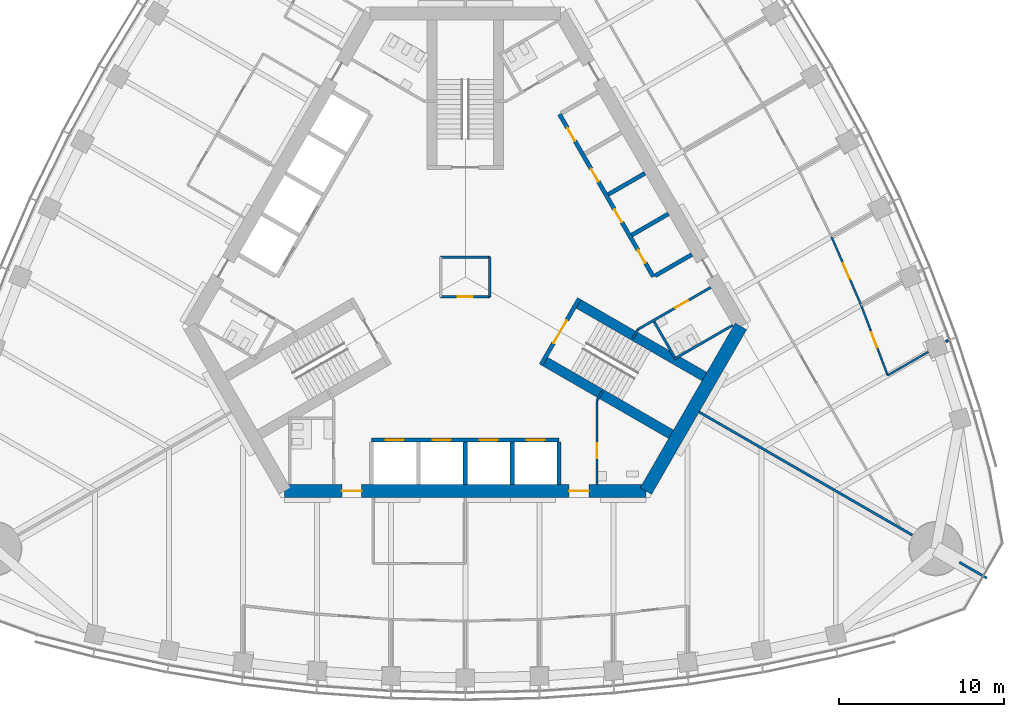
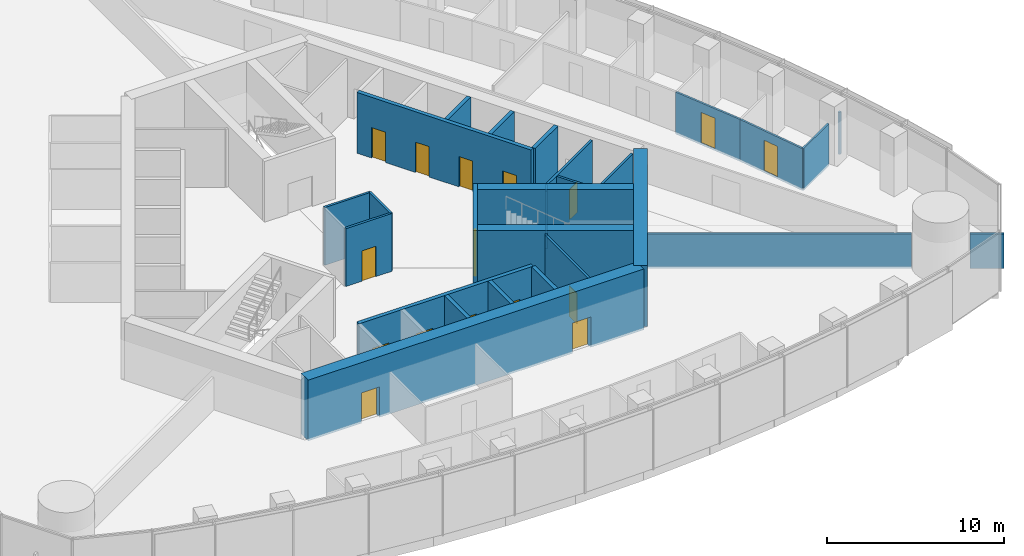
# One storey, part 12 of 20: 28 walls, 16 doors, 16 openings.
"""IFC4 building model written with IfcOpenShell, lengths in metres."""

from ifc_helpers import new_model, si_unit, direction, frame, frame_2d, origin, place, context, subcontext, project, spatial, rectangle, extrude, material, layer, layer_set, type_object, element, fill, save


model = new_model("IFC4")

# Units and contexts
model_context = context("Model", 3, precision=1e-05, world=origin(), true_north=direction((0.0, 1.0)))
body_context = subcontext(model_context, "Body", "Model", "MODEL_VIEW")
ifc_project = project(units=[si_unit("LENGTHUNIT", "METRE"), si_unit("AREAUNIT", "SQUARE_METRE"), si_unit("VOLUMEUNIT", "CUBIC_METRE"), si_unit("PLANEANGLEUNIT", "RADIAN"), si_unit("MASSUNIT", "GRAM", prefix="KILO")], contexts=[model_context])

# Site, building, storey
site_placement = place(None, origin())
site = spatial("IfcSite", under=ifc_project, at=site_placement, CompositionType="ELEMENT")
building_placement = place(site_placement, origin())
building = spatial("IfcBuilding", under=site, at=building_placement, Name="Trefoil Bronze Tower", CompositionType="ELEMENT")
storey_placement = place(building_placement, frame((0.0, 0.0, 210.699951171875)))
storey = spatial("IfcBuildingStorey", under=building, at=storey_placement, Name="L48", CompositionType="ELEMENT", Elevation=210.699951171875)

# Wall, openings, doors
ifc_material_1 = material(Name="Concrete B80", Category="concrete")
ifc_layer_1 = layer(ifc_material_1, 0.800048828125)
ifc_layer_set_1 = layer_set([ifc_layer_1], Name="Core wall 800")
wall_type_1 = type_object("IfcWallType", Name="Core wall 800", PredefinedType="SHEAR", material=ifc_layer_set_1)
wall_1_placement = place(storey_placement, frame((-10.9697265625, -13.0, 0.0), z_axis=(0.0, 0.0, 1.0), x_axis=(1.0, 0.0, 0.0)))
wall_1 = element("IfcWall", 1, at=wall_1_placement, inside=storey, type_object=wall_type_1, Name="Core long wall 1 L48", PredefinedType="SHEAR", context=body_context, shape_type="SweptSolid", body=[
    extrude(rectangle(XDim=21.939453125, YDim=0.800048828125, at=frame_2d((10.9697265625, 0.0))), origin(), (0.0, 0.0, 1.0), 4.199951171875),
])
opening_1_placement = place(wall_1_placement, frame((17.269775390625, 0.0, 0.0)))
opening_1 = element("IfcOpeningElement", 2, at=opening_1_placement, cuts=wall_1, Name="Opening D2", PredefinedType="OPENING", context=body_context, shape_type="SweptSolid", body=[
    extrude(rectangle(XDim=1.199951171875, YDim=2.10009765625, at=frame_2d((0.60009765625, 1.050048828125))), frame((0.0, 0.409912109375, 0.0), z_axis=(0.0, -1.0, 0.0), x_axis=(1.0, 0.0, 0.0)), (0.0, 0.0, 1.0), 0.820068359375),
])
opening_2_placement = place(wall_1_placement, frame((3.4697265625, 0.0, 0.0)))
opening_2 = element("IfcOpeningElement", 3, at=opening_2_placement, cuts=wall_1, Name="Opening D2", PredefinedType="OPENING", context=body_context, shape_type="SweptSolid", body=[
    extrude(rectangle(XDim=1.199951171875, YDim=2.10009765625, at=frame_2d((0.60009765625, 1.050048828125))), frame((0.0, 0.409912109375, 0.0), z_axis=(0.0, -1.0, 0.0), x_axis=(1.0, 0.0, 0.0)), (0.0, 0.0, 1.0), 0.820068359375),
])
ifc_material_2 = material(Name="Steel door", Category="steel")
door_type_1 = type_object("IfcDoorType", Name="Lobby door 1200", OperationType="SINGLE_SWING_RIGHT", PredefinedType="DOOR", material=ifc_material_2)
door_1_placement = place(opening_1_placement, origin())
door_1 = element("IfcDoor", 4, at=door_1_placement, inside=storey, type_object=door_type_1, Name="Lobby door F1+ L48", OperationType="SINGLE_SWING_RIGHT", OverallHeight=2.10009765625, OverallWidth=1.199951171875, PredefinedType="DOOR", context=body_context, shape_type="SweptSolid", body=[
    extrude(rectangle(XDim=1.199951171875, YDim=2.10009765625, at=frame_2d((0.60009765625, 1.050048828125))), frame((0.0, 0.02490234375, 0.0), z_axis=(0.0, -1.0, 0.0), x_axis=(1.0, 0.0, 0.0)), (0.0, 0.0, 1.0), 0.050048828125),
])
fill(opening_1, door_1)
door_2_placement = place(opening_2_placement, origin())
door_2 = element("IfcDoor", 5, at=door_2_placement, inside=storey, type_object=door_type_1, Name="Lobby door F1- L48", OperationType="SINGLE_SWING_LEFT", OverallHeight=2.10009765625, OverallWidth=1.199951171875, PredefinedType="DOOR", context=body_context, shape_type="SweptSolid", body=[
    extrude(rectangle(XDim=1.199951171875, YDim=2.10009765625, at=frame_2d((0.60009765625, 1.050048828125))), frame((0.0, 0.02490234375, 0.0), z_axis=(0.0, -1.0, 0.0), x_axis=(1.0, 0.0, 0.0)), (0.0, 0.0, 1.0), 0.050048828125),
])
fill(opening_2, door_2)

# Wall
wall_2_placement = place(storey_placement, frame((10.9697265625, -13.0, 0.0), z_axis=(0.0, 0.0, 1.0), x_axis=(0.499995765644, 0.866027848477, 0.0)))
element("IfcWall", 6, at=wall_2_placement, inside=storey, type_object=wall_type_1, Name="Core short wall 1 L48", PredefinedType="SHEAR", context=body_context, shape_type="SweptSolid", body=[
    extrude(rectangle(XDim=11.546875, YDim=0.800048828125, at=frame_2d((5.7734375, 0.0))), origin(), (0.0, 0.0, 1.0), 4.199951171875),
])

# Wall, opening, door
ifc_material_3 = material(Name="Glazed partition", Category="glass")
ifc_layer_2 = layer(ifc_material_3, 0.1201171875)
ifc_layer_set_2 = layer_set([ifc_layer_2], Name="Glazed partition 120")
wall_type_2 = type_object("IfcWallType", Name="Glazed partition 120", PredefinedType="PARTITIONING", material=ifc_layer_set_2)
wall_3_placement = place(storey_placement, frame((24.041015625, -1.708251953125, 0.0), z_axis=(0.0, 0.0, 1.0), x_axis=(-0.397208101111, 0.917728567939, 0.0)))
wall_3 = element("IfcWall", 7, at=wall_3_placement, inside=storey, type_object=wall_type_2, Name="Partition F2 L48", PredefinedType="PARTITIONING", context=body_context, shape_type="SweptSolid", body=[
    extrude(rectangle(XDim=4.530029296875, YDim=0.1201171875, at=frame_2d((2.26513671875, 0.0))), origin(), (0.0, 0.0, 1.0), 2.900146484375),
])
opening_3_placement = place(wall_3_placement, frame((1.75, 0.0, 0.14990234375)))
opening_3 = element("IfcOpeningElement", 8, at=opening_3_placement, cuts=wall_3, Name="Opening D9", PredefinedType="OPENING", context=body_context, shape_type="SweptSolid", body=[
    extrude(rectangle(XDim=1.0, YDim=2.10009765625, at=frame_2d((0.5, 1.050048828125))), frame((0.0, 0.070068359375, 0.0), z_axis=(0.0, -1.0, 0.0), x_axis=(1.0, 0.0, 0.0)), (0.0, 0.0, 1.0), 0.14013671875),
])
ifc_material_4 = material(Name="Glazed timber door", Category="wood")
door_type_2 = type_object("IfcDoorType", Name="Meeting room door 1000", OperationType="SINGLE_SWING_LEFT", PredefinedType="DOOR", material=ifc_material_4)
door_3_placement = place(opening_3_placement, frame((1.0, 0.0, 0.0), z_axis=(0.0, 0.0, 1.0), x_axis=(-1.0, 0.0, 0.0)))
door_3 = element("IfcDoor", 9, at=door_3_placement, inside=storey, type_object=door_type_2, Name="Meeting room door F2 L48", OperationType="SINGLE_SWING_RIGHT", OverallHeight=2.10009765625, OverallWidth=1.0, PredefinedType="DOOR", context=body_context, shape_type="SweptSolid", body=[
    extrude(rectangle(XDim=1.0, YDim=2.10009765625, at=frame_2d((0.5, 1.050048828125))), frame((0.0, 0.02490234375, 0.0), z_axis=(0.0, -1.0, 0.0), x_axis=(1.0, 0.0, 0.0)), (0.0, 0.0, 1.0), 0.050048828125),
])
fill(opening_3, door_3)

wall_4_placement = place(storey_placement, frame((25.65625, -5.971923828125, 0.0), z_axis=(0.0, 0.0, 1.0), x_axis=(-0.3542667952, 0.935144394101, 0.0)))
wall_4 = element("IfcWall", 10, at=wall_4_placement, inside=storey, type_object=wall_type_2, Name="Partition F2 L48", PredefinedType="PARTITIONING", context=body_context, shape_type="SweptSolid", body=[
    extrude(rectangle(XDim=4.559326171875, YDim=0.1201171875, at=frame_2d((2.27978515625, 0.0))), origin(), (0.0, 0.0, 1.0), 2.900146484375),
])
opening_4_placement = place(wall_4_placement, frame((1.800048828125, 0.0, 0.14990234375)))
opening_4 = element("IfcOpeningElement", 11, at=opening_4_placement, cuts=wall_4, Name="Opening D9", PredefinedType="OPENING", context=body_context, shape_type="SweptSolid", body=[
    extrude(rectangle(XDim=1.0, YDim=2.10009765625, at=frame_2d((0.5, 1.050048828125))), frame((0.0, 0.070068359375, 0.0), z_axis=(0.0, -1.0, 0.0), x_axis=(1.0, 0.0, 0.0)), (0.0, 0.0, 1.0), 0.14013671875),
])
door_4_placement = place(opening_4_placement, frame((1.0, 0.0, 0.0), z_axis=(0.0, 0.0, 1.0), x_axis=(-1.0, 0.0, 0.0)))
door_4 = element("IfcDoor", 12, at=door_4_placement, inside=storey, type_object=door_type_2, Name="Meeting room door F2 L48", OperationType="SINGLE_SWING_LEFT", OverallHeight=2.10009765625, OverallWidth=1.0, PredefinedType="DOOR", context=body_context, shape_type="SweptSolid", body=[
    extrude(rectangle(XDim=1.0, YDim=2.10009765625, at=frame_2d((0.5, 1.050048828125))), frame((0.0, 0.02490234375, 0.0), z_axis=(0.0, -1.0, 0.0), x_axis=(1.0, 0.0, 0.0)), (0.0, 0.0, 1.0), 0.050048828125),
])
fill(opening_4, door_4)

# Wall
wall_5_placement = place(storey_placement, frame((25.65625, -5.971923828125, 0.0), z_axis=(0.0, 0.0, 1.0), x_axis=(0.866022741256, 0.500004611607, 0.0)))
element("IfcWall", 13, at=wall_5_placement, inside=storey, type_object=wall_type_2, Name="Partition F2 L48", PredefinedType="PARTITIONING", context=body_context, shape_type="SweptSolid", body=[
    extrude(rectangle(XDim=2.84619140625, YDim=0.1201171875, at=frame_2d((1.423095703125, 0.0))), origin(), (0.0, 0.0, 1.0), 2.900146484375),
])

# Wall, opening, door
ifc_material_5 = material(Name="Gypsum board on steel studs", Category="steel")
ifc_layer_3 = layer(ifc_material_5, 0.14990234375)
ifc_layer_set_3 = layer_set([ifc_layer_3], Name="Partition 150")
wall_type_3 = type_object("IfcWallType", Name="Partition 150", PredefinedType="PARTITIONING", material=ifc_layer_set_3)
wall_6_placement = place(storey_placement, frame((8.0, -7.5, 0.0), z_axis=(0.0, 0.0, 1.0), x_axis=(0.0, -1.0, 0.0)))
wall_6 = element("IfcWall", 14, at=wall_6_placement, inside=storey, type_object=wall_type_3, Name="Passage wall F1+ L48", PredefinedType="PARTITIONING", context=body_context, shape_type="SweptSolid", body=[
    extrude(rectangle(XDim=5.10009765625, YDim=0.14990234375, at=frame_2d((2.550048828125, 0.0))), origin(), (0.0, 0.0, 1.0), 4.0),
])
opening_5_placement = place(wall_6_placement, frame((2.60009765625, 0.0, 0.0)))
opening_5 = element("IfcOpeningElement", 15, at=opening_5_placement, cuts=wall_6, Name="Opening D3", PredefinedType="OPENING", context=body_context, shape_type="SweptSolid", body=[
    extrude(rectangle(XDim=0.89990234375, YDim=2.10009765625, at=frame_2d((0.449951171875, 1.050048828125))), frame((0.0, 0.0849609375, 0.0), z_axis=(0.0, -1.0, 0.0), x_axis=(1.0, 0.0, 0.0)), (0.0, 0.0, 1.0), 0.169921875),
])
ifc_material_6 = material(Name="Timber door", Category="wood")
door_type_3 = type_object("IfcDoorType", Name="WC door 900", OperationType="SINGLE_SWING_LEFT", PredefinedType="DOOR", material=ifc_material_6)
door_5_placement = place(opening_5_placement, origin())
door_5 = element("IfcDoor", 16, at=door_5_placement, inside=storey, type_object=door_type_3, Name="Accessible WC door L48", OperationType="SINGLE_SWING_RIGHT", OverallHeight=2.10009765625, OverallWidth=0.89990234375, PredefinedType="DOOR", context=body_context, shape_type="SweptSolid", body=[
    extrude(rectangle(XDim=0.89990234375, YDim=2.10009765625, at=frame_2d((0.449951171875, 1.050048828125))), frame((0.0, 0.02490234375, 0.0), z_axis=(0.0, -1.0, 0.0), x_axis=(1.0, 0.0, 0.0)), (0.0, 0.0, 1.0), 0.050048828125),
])
fill(opening_5, door_5)

wall_7_placement = place(storey_placement, frame((10.4951171875, -3.17822265625, 0.0), z_axis=(0.0, 0.0, 1.0), x_axis=(0.86602216432, 0.500005610874, 0.0)))
wall_7 = element("IfcWall", 17, at=wall_7_placement, inside=storey, type_object=wall_type_3, Name="Passage wall F2- L48", PredefinedType="PARTITIONING", context=body_context, shape_type="SweptSolid", body=[
    extrude(rectangle(XDim=5.10009765625, YDim=0.14990234375, at=frame_2d((2.550048828125, 0.0))), origin(), (0.0, 0.0, 1.0), 4.0),
])
opening_6_placement = place(wall_7_placement, frame((2.60009765625, 0.0, 0.0)))
opening_6 = element("IfcOpeningElement", 18, at=opening_6_placement, cuts=wall_7, Name="Opening D3", PredefinedType="OPENING", context=body_context, shape_type="SweptSolid", body=[
    extrude(rectangle(XDim=0.89990234375, YDim=2.10009765625, at=frame_2d((0.449951171875, 1.050048828125))), frame((0.0, 0.0849609375, 0.0), z_axis=(0.0, -1.0, 0.0), x_axis=(1.0, 0.0, 0.0)), (0.0, 0.0, 1.0), 0.169921875),
])
door_6_placement = place(opening_6_placement, frame((0.89990234375, 0.0, 0.0), z_axis=(0.0, 0.0, 1.0), x_axis=(-1.0, 0.0, 0.0)))
door_6 = element("IfcDoor", 19, at=door_6_placement, inside=storey, type_object=door_type_3, Name="WC (women) door L48", OperationType="SINGLE_SWING_RIGHT", OverallHeight=2.10009765625, OverallWidth=0.89990234375, PredefinedType="DOOR", context=body_context, shape_type="SweptSolid", body=[
    extrude(rectangle(XDim=0.89990234375, YDim=2.10009765625, at=frame_2d((0.449951171875, 1.050048828125))), frame((0.0, 0.02490234375, 0.0), z_axis=(0.0, -1.0, 0.0), x_axis=(1.0, 0.0, 0.0)), (0.0, 0.0, 1.0), 0.050048828125),
])
fill(opening_6, door_6)

# Walls
for number, where, z_axis, x_axis, name in (
    (20, (8.0, -7.5, 0.0), (0.0, 0.0, 1.0), (0.499842556608, 0.866116284689, 0.0), "WC wall ST1-1 L48"),
    (21, (10.4951171875, -3.17822265625, 0.0), (0.0, 0.0, 1.0), (-0.499842556608, -0.866116284689, 0.0), "WC wall ST1+1 L48"),
):
    element("IfcWall", number, at=place(storey_placement, frame(where, z_axis=z_axis, x_axis=x_axis)), inside=storey, type_object=wall_type_3, Name=name, PredefinedType="PARTITIONING", context=body_context, shape_type="SweptSolid", body=[
        extrude(rectangle(XDim=0.645263671875, YDim=0.14990234375, at=frame_2d((0.32275390625, 0.0))), origin(), (0.0, 0.0, 1.0), 4.0),
    ])
wall_8_placement = place(storey_placement, frame((12.691162109375, -4.98193359375, 0.0), z_axis=(0.0, 0.0, 1.0), x_axis=(0.8660249478, 0.500000789788, 0.0)))
element("IfcWall", 22, at=wall_8_placement, inside=storey, type_object=wall_type_3, Name="WC partition WC (women) L48", PredefinedType="PARTITIONING", context=body_context, shape_type="SweptSolid", body=[
    extrude(rectangle(XDim=4.10009765625, YDim=0.14990234375, at=frame_2d((2.050048828125, 0.0))), origin(), (0.0, 0.0, 1.0), 4.0),
])
wall_9_placement = place(storey_placement, frame((11.463623046875, -2.70556640625, 0.0), z_axis=(0.0, 0.0, 1.0), x_axis=(0.50001992892, -0.866013897511, 0.0)))
element("IfcWall", 23, at=wall_9_placement, inside=storey, type_object=wall_type_3, Name="WC partition WC (women) L48", PredefinedType="PARTITIONING", context=body_context, shape_type="SweptSolid", body=[
    extrude(rectangle(XDim=2.51025390625, YDim=0.14990234375, at=frame_2d((1.255126953125, 0.0))), origin(), (0.0, 0.0, 1.0), 4.0),
])
wall_10_placement = place(storey_placement, frame((29.19140625, -3.930908203125, 0.0), z_axis=(0.0, 0.0, 1.0), x_axis=(0.866484919499, 0.499203249469, 0.0)))
element("IfcWall", 24, at=wall_10_placement, inside=storey, type_object=wall_type_3, Name="Partition F2 L48", PredefinedType="PARTITIONING", context=body_context, shape_type="SweptSolid", body=[
    extrude(rectangle(XDim=0.162841796875, YDim=0.14990234375, at=frame_2d((0.08154296875, 0.0))), origin(), (0.0, 0.0, 1.0), 2.900146484375),
])
ifc_material_7 = material(Name="Gypsum board on steel studs", Category="steel")
ifc_layer_4 = layer(ifc_material_7, 0.14990234375)
ifc_layer_set_4 = layer_set([ifc_layer_4], Name="Party wall 150")
wall_type_4 = type_object("IfcWallType", Name="Party wall 150", PredefinedType="PARTITIONING", material=ifc_layer_set_4)
wall_11_placement = place(storey_placement, frame((14.202880859375, -8.199951171875, 0.0), z_axis=(0.0, 0.0, 1.0), x_axis=(0.866021600284, -0.500006587798, 0.0)))
element("IfcWall", 25, at=wall_11_placement, inside=storey, type_object=wall_type_4, Name="Party wall K1 L48", PredefinedType="PARTITIONING", context=body_context, shape_type="SweptSolid", body=[
    extrude(rectangle(XDim=14.949951171875, YDim=0.14990234375, at=frame_2d((7.47509765625, 0.0))), origin(), (0.0, 0.0, 1.0), 2.400146484375),
])
wall_12_placement = place(storey_placement, frame((30.0078125, -17.324951171875, 0.0), z_axis=(0.0, 0.0, 1.0), x_axis=(0.866013246922, -0.500021055713, 0.0)))
element("IfcWall", 26, at=wall_12_placement, inside=storey, type_object=wall_type_4, Name="Party wall K1 L48", PredefinedType="PARTITIONING", context=body_context, shape_type="SweptSolid", body=[
    extrude(rectangle(XDim=1.9345703125, YDim=0.14990234375, at=frame_2d((0.96728515625, 0.0))), origin(), (0.0, 0.0, 1.0), 2.400146484375),
])

# Wall, opening, door
ifc_material_8 = material(Name="Gypsum board on steel studs", Category="steel")
ifc_layer_5 = layer(ifc_material_8, 0.14990234375)
ifc_layer_set_5 = layer_set([ifc_layer_5], Name="Riser wall 150")
wall_type_5 = type_object("IfcWallType", Name="Riser wall 150", PredefinedType="PARTITIONING", material=ifc_layer_set_5)
wall_13_placement = place(storey_placement, frame((-1.5, -1.199951171875, 0.0), z_axis=(0.0, 0.0, 1.0), x_axis=(1.0, 0.0, 0.0)))
wall_13 = element("IfcWall", 27, at=wall_13_placement, inside=storey, type_object=wall_type_5, Name="Riser wall L48", PredefinedType="PARTITIONING", context=body_context, shape_type="SweptSolid", body=[
    extrude(rectangle(XDim=3.0, YDim=0.14990234375, at=frame_2d((1.5, 0.0))), origin(), (0.0, 0.0, 1.0), 4.0),
])
opening_7_placement = place(wall_13_placement, frame((1.050048828125, 0.0, 0.0)))
opening_7 = element("IfcOpeningElement", 28, at=opening_7_placement, cuts=wall_13, Name="Opening D4", PredefinedType="OPENING", context=body_context, shape_type="SweptSolid", body=[
    extrude(rectangle(XDim=0.89990234375, YDim=2.10009765625, at=frame_2d((0.449951171875, 1.050048828125))), frame((0.0, 0.0849609375, 0.0), z_axis=(0.0, -1.0, 0.0), x_axis=(1.0, 0.0, 0.0)), (0.0, 0.0, 1.0), 0.169921875),
])
ifc_material_9 = material(Name="Steel door", Category="steel")
door_type_4 = type_object("IfcDoorType", Name="Riser door 900", OperationType="SINGLE_SWING_LEFT", PredefinedType="DOOR", material=ifc_material_9)
door_7_placement = place(opening_7_placement, frame((0.89990234375, 0.0, 0.0), z_axis=(0.0, 0.0, 1.0), x_axis=(-1.0, 0.0, 0.0)))
door_7 = element("IfcDoor", 29, at=door_7_placement, inside=storey, type_object=door_type_4, Name="Riser door L48", OperationType="SINGLE_SWING_LEFT", OverallHeight=2.10009765625, OverallWidth=0.89990234375, PredefinedType="DOOR", context=body_context, shape_type="SweptSolid", body=[
    extrude(rectangle(XDim=0.89990234375, YDim=2.10009765625, at=frame_2d((0.449951171875, 1.050048828125))), frame((0.0, 0.02490234375, 0.0), z_axis=(0.0, -1.0, 0.0), x_axis=(1.0, 0.0, 0.0)), (0.0, 0.0, 1.0), 0.050048828125),
])
fill(opening_7, door_7)

# Walls
wall_14_placement = place(storey_placement, frame((1.5, -1.199951171875, 0.0), z_axis=(0.0, 0.0, 1.0), x_axis=(0.0, 1.0, 0.0)))
element("IfcWall", 30, at=wall_14_placement, inside=storey, type_object=wall_type_5, Name="Riser wall L48", PredefinedType="PARTITIONING", context=body_context, shape_type="SweptSolid", body=[
    extrude(rectangle(XDim=2.39990234375, YDim=0.14990234375, at=frame_2d((1.199951171875, 0.0))), origin(), (0.0, 0.0, 1.0), 4.0),
])
wall_15_placement = place(storey_placement, frame((1.5, 1.199951171875, 0.0), z_axis=(0.0, 0.0, 1.0), x_axis=(-1.0, 0.0, 0.0)))
element("IfcWall", 31, at=wall_15_placement, inside=storey, type_object=wall_type_5, Name="Riser wall L48", PredefinedType="PARTITIONING", context=body_context, shape_type="SweptSolid", body=[
    extrude(rectangle(XDim=3.0, YDim=0.14990234375, at=frame_2d((1.5, 0.0))), origin(), (0.0, 0.0, 1.0), 4.0),
])

# Wall, openings, doors
ifc_material_10 = material(Name="Concrete B80", Category="concrete")
ifc_layer_6 = layer(ifc_material_10, 0.25)
ifc_layer_set_6 = layer_set([ifc_layer_6], Name="Shaft wall 250")
wall_type_6 = type_object("IfcWallType", Name="Shaft wall 250", PredefinedType="SHEAR", material=ifc_layer_set_6)
wall_16_placement = place(storey_placement, frame((-5.699951171875, -9.89990234375, 0.0), z_axis=(0.0, 0.0, 1.0), x_axis=(1.0, 0.0, 0.0)))
wall_16 = element("IfcWall", 32, at=wall_16_placement, inside=storey, type_object=wall_type_6, Name="Lift shaft front wall A L48", PredefinedType="SHEAR", context=body_context, shape_type="SweptSolid", body=[
    extrude(rectangle(XDim=11.39990234375, YDim=0.25, at=frame_2d((5.699951171875, 0.0))), origin(), (0.0, 0.0, 1.0), 4.199951171875),
])
opening_8_placement = place(wall_16_placement, frame((0.875, 0.0, 0.0)))
opening_8 = element("IfcOpeningElement", 33, at=opening_8_placement, cuts=wall_16, Name="Opening LD-P31", PredefinedType="OPENING", context=body_context, shape_type="SweptSolid", body=[
    extrude(rectangle(XDim=1.10009765625, YDim=2.199951171875, at=frame_2d((0.550048828125, 1.10009765625))), frame((0.0, 0.135009765625, 0.0), z_axis=(0.0, -1.0, 0.0), x_axis=(1.0, 0.0, 0.0)), (0.0, 0.0, 1.0), 0.27001953125),
])
opening_9_placement = place(wall_16_placement, frame((3.72509765625, 0.0, 0.0)))
opening_9 = element("IfcOpeningElement", 34, at=opening_9_placement, cuts=wall_16, Name="Opening LD-P32", PredefinedType="OPENING", context=body_context, shape_type="SweptSolid", body=[
    extrude(rectangle(XDim=1.10009765625, YDim=2.199951171875, at=frame_2d((0.550048828125, 1.10009765625))), frame((0.0, 0.135009765625, 0.0), z_axis=(0.0, -1.0, 0.0), x_axis=(1.0, 0.0, 0.0)), (0.0, 0.0, 1.0), 0.27001953125),
])
opening_10_placement = place(wall_16_placement, frame((6.574951171875, 0.0, 0.0)))
opening_10 = element("IfcOpeningElement", 35, at=opening_10_placement, cuts=wall_16, Name="Opening LD-P33", PredefinedType="OPENING", context=body_context, shape_type="SweptSolid", body=[
    extrude(rectangle(XDim=1.10009765625, YDim=2.199951171875, at=frame_2d((0.550048828125, 1.10009765625))), frame((0.0, 0.135009765625, 0.0), z_axis=(0.0, -1.0, 0.0), x_axis=(1.0, 0.0, 0.0)), (0.0, 0.0, 1.0), 0.27001953125),
])
opening_11_placement = place(wall_16_placement, frame((9.425048828125, 0.0, 0.0)))
opening_11 = element("IfcOpeningElement", 36, at=opening_11_placement, cuts=wall_16, Name="Opening LD-P34", PredefinedType="OPENING", context=body_context, shape_type="SweptSolid", body=[
    extrude(rectangle(XDim=1.10009765625, YDim=2.199951171875, at=frame_2d((0.550048828125, 1.10009765625))), frame((0.0, 0.135009765625, 0.0), z_axis=(0.0, -1.0, 0.0), x_axis=(1.0, 0.0, 0.0)), (0.0, 0.0, 1.0), 0.27001953125),
])
ifc_material_11 = material(Name="Steel door", Category="steel")
door_type_5 = type_object("IfcDoorType", Name="Lift landing door 1100", OperationType="DOUBLE_DOOR_SLIDING", PredefinedType="DOOR", material=ifc_material_11)
door_8_placement = place(opening_8_placement, origin())
door_8 = element("IfcDoor", 37, at=door_8_placement, inside=storey, type_object=door_type_5, Name="Lift P31 landing door L48", OperationType="DOUBLE_DOOR_SLIDING", OverallHeight=2.199951171875, OverallWidth=1.10009765625, PredefinedType="DOOR", context=body_context, shape_type="SweptSolid", body=[
    extrude(rectangle(XDim=1.10009765625, YDim=2.199951171875, at=frame_2d((0.550048828125, 1.10009765625))), frame((0.0, 0.02490234375, 0.0), z_axis=(0.0, -1.0, 0.0), x_axis=(1.0, 0.0, 0.0)), (0.0, 0.0, 1.0), 0.050048828125),
])
fill(opening_8, door_8)
door_9_placement = place(opening_9_placement, origin())
door_9 = element("IfcDoor", 38, at=door_9_placement, inside=storey, type_object=door_type_5, Name="Lift P32 landing door L48", OperationType="DOUBLE_DOOR_SLIDING", OverallHeight=2.199951171875, OverallWidth=1.10009765625, PredefinedType="DOOR", context=body_context, shape_type="SweptSolid", body=[
    extrude(rectangle(XDim=1.10009765625, YDim=2.199951171875, at=frame_2d((0.550048828125, 1.10009765625))), frame((0.0, 0.02490234375, 0.0), z_axis=(0.0, -1.0, 0.0), x_axis=(1.0, 0.0, 0.0)), (0.0, 0.0, 1.0), 0.050048828125),
])
fill(opening_9, door_9)
door_10_placement = place(opening_10_placement, origin())
door_10 = element("IfcDoor", 39, at=door_10_placement, inside=storey, type_object=door_type_5, Name="Lift P33 landing door L48", OperationType="DOUBLE_DOOR_SLIDING", OverallHeight=2.199951171875, OverallWidth=1.10009765625, PredefinedType="DOOR", context=body_context, shape_type="SweptSolid", body=[
    extrude(rectangle(XDim=1.10009765625, YDim=2.199951171875, at=frame_2d((0.550048828125, 1.10009765625))), frame((0.0, 0.02490234375, 0.0), z_axis=(0.0, -1.0, 0.0), x_axis=(1.0, 0.0, 0.0)), (0.0, 0.0, 1.0), 0.050048828125),
])
fill(opening_10, door_10)
door_11_placement = place(opening_11_placement, origin())
door_11 = element("IfcDoor", 40, at=door_11_placement, inside=storey, type_object=door_type_5, Name="Lift P34 landing door L48", OperationType="DOUBLE_DOOR_SLIDING", OverallHeight=2.199951171875, OverallWidth=1.10009765625, PredefinedType="DOOR", context=body_context, shape_type="SweptSolid", body=[
    extrude(rectangle(XDim=1.10009765625, YDim=2.199951171875, at=frame_2d((0.550048828125, 1.10009765625))), frame((0.0, 0.02490234375, 0.0), z_axis=(0.0, -1.0, 0.0), x_axis=(1.0, 0.0, 0.0)), (0.0, 0.0, 1.0), 0.050048828125),
])
fill(opening_11, door_11)

# Walls
for number, where, z_axis, x_axis, name in (
    (41, (0.0, -10.02490234375, 0.0), (0.0, 0.0, 1.0), (0.0, -1.0, 0.0), "Lift shaft side wall A2 L48"),
    (42, (2.85009765625, -10.02490234375, 0.0), (0.0, 0.0, 1.0), (0.0, -1.0, 0.0), "Lift shaft side wall A3 L48"),
    (43, (5.699951171875, -10.02490234375, 0.0), (0.0, 0.0, 1.0), (0.0, -1.0, 0.0), "Lift shaft side wall A4 L48"),
):
    element("IfcWall", number, at=place(storey_placement, frame(where, z_axis=z_axis, x_axis=x_axis)), inside=storey, type_object=wall_type_6, Name=name, PredefinedType="SHEAR", context=body_context, shape_type="SweptSolid", body=[
        extrude(rectangle(XDim=2.5751953125, YDim=0.25, at=frame_2d((1.28759765625, 0.0))), origin(), (0.0, 0.0, 1.0), 4.199951171875),
    ])

# Wall, openings, doors
wall_17_placement = place(storey_placement, frame((11.423583984375, 0.013671875, 0.0), z_axis=(0.0, 0.0, 1.0), x_axis=(-0.500001763848, 0.866024385424, 0.0)))
wall_17 = element("IfcWall", 44, at=wall_17_placement, inside=storey, type_object=wall_type_6, Name="Lift shaft front wall B L48", PredefinedType="SHEAR", context=body_context, shape_type="SweptSolid", body=[
    extrude(rectangle(XDim=11.39990234375, YDim=0.25, at=frame_2d((5.699951171875, 0.0))), origin(), (0.0, 0.0, 1.0), 4.199951171875),
])
opening_12_placement = place(wall_17_placement, frame((0.97509765625, 0.0, 0.0)))
opening_12 = element("IfcOpeningElement", 45, at=opening_12_placement, cuts=wall_17, Name="Opening D12", PredefinedType="OPENING", context=body_context, shape_type="SweptSolid", body=[
    extrude(rectangle(XDim=0.89990234375, YDim=2.10009765625, at=frame_2d((0.449951171875, 1.050048828125))), frame((0.0, 0.135009765625, 0.0), z_axis=(0.0, -1.0, 0.0), x_axis=(1.0, 0.0, 0.0)), (0.0, 0.0, 1.0), 0.27001953125),
])
opening_13_placement = place(wall_17_placement, frame((3.824951171875, 0.0, 0.0)))
opening_13 = element("IfcOpeningElement", 46, at=opening_13_placement, cuts=wall_17, Name="Opening D12", PredefinedType="OPENING", context=body_context, shape_type="SweptSolid", body=[
    extrude(rectangle(XDim=0.89990234375, YDim=2.10009765625, at=frame_2d((0.449951171875, 1.050048828125))), frame((0.0, 0.135009765625, 0.0), z_axis=(0.0, -1.0, 0.0), x_axis=(1.0, 0.0, 0.0)), (0.0, 0.0, 1.0), 0.27001953125),
])
opening_14_placement = place(wall_17_placement, frame((6.675048828125, 0.0, 0.0)))
opening_14 = element("IfcOpeningElement", 47, at=opening_14_placement, cuts=wall_17, Name="Opening D12", PredefinedType="OPENING", context=body_context, shape_type="SweptSolid", body=[
    extrude(rectangle(XDim=0.89990234375, YDim=2.10009765625, at=frame_2d((0.449951171875, 1.050048828125))), frame((0.0, 0.135009765625, 0.0), z_axis=(0.0, -1.0, 0.0), x_axis=(1.0, 0.0, 0.0)), (0.0, 0.0, 1.0), 0.27001953125),
])
opening_15_placement = place(wall_17_placement, frame((9.52490234375, 0.0, 0.0)))
opening_15 = element("IfcOpeningElement", 48, at=opening_15_placement, cuts=wall_17, Name="Opening D12", PredefinedType="OPENING", context=body_context, shape_type="SweptSolid", body=[
    extrude(rectangle(XDim=0.89990234375, YDim=2.10009765625, at=frame_2d((0.449951171875, 1.050048828125))), frame((0.0, 0.135009765625, 0.0), z_axis=(0.0, -1.0, 0.0), x_axis=(1.0, 0.0, 0.0)), (0.0, 0.0, 1.0), 0.27001953125),
])
ifc_material_12 = material(Name="Steel door", Category="steel")
door_type_6 = type_object("IfcDoorType", Name="Shaft room door 900", OperationType="SINGLE_SWING_LEFT", PredefinedType="DOOR", material=ifc_material_12)
door_12_placement = place(opening_12_placement, frame((0.89990234375, 0.0, 0.0), z_axis=(0.0, 0.0, 1.0), x_axis=(-1.0, 0.0, 0.0)))
door_12 = element("IfcDoor", 49, at=door_12_placement, inside=storey, type_object=door_type_6, Name="Shaft room door B1 L48", OperationType="SINGLE_SWING_LEFT", OverallHeight=2.10009765625, OverallWidth=0.89990234375, PredefinedType="DOOR", context=body_context, shape_type="SweptSolid", body=[
    extrude(rectangle(XDim=0.89990234375, YDim=2.10009765625, at=frame_2d((0.449951171875, 1.050048828125))), frame((0.0, 0.02490234375, 0.0), z_axis=(0.0, -1.0, 0.0), x_axis=(1.0, 0.0, 0.0)), (0.0, 0.0, 1.0), 0.050048828125),
])
fill(opening_12, door_12)
door_13_placement = place(opening_13_placement, frame((0.89990234375, 0.0, 0.0), z_axis=(0.0, 0.0, 1.0), x_axis=(-1.0, 0.0, 0.0)))
door_13 = element("IfcDoor", 50, at=door_13_placement, inside=storey, type_object=door_type_6, Name="Shaft room door B2 L48", OperationType="SINGLE_SWING_RIGHT", OverallHeight=2.10009765625, OverallWidth=0.89990234375, PredefinedType="DOOR", context=body_context, shape_type="SweptSolid", body=[
    extrude(rectangle(XDim=0.89990234375, YDim=2.10009765625, at=frame_2d((0.449951171875, 1.050048828125))), frame((0.0, 0.02490234375, 0.0), z_axis=(0.0, -1.0, 0.0), x_axis=(1.0, 0.0, 0.0)), (0.0, 0.0, 1.0), 0.050048828125),
])
fill(opening_13, door_13)
door_14_placement = place(opening_14_placement, frame((0.89990234375, 0.0, 0.0), z_axis=(0.0, 0.0, 1.0), x_axis=(-1.0, 0.0, 0.0)))
door_14 = element("IfcDoor", 51, at=door_14_placement, inside=storey, type_object=door_type_6, Name="Shaft room door B3 L48", OperationType="SINGLE_SWING_RIGHT", OverallHeight=2.10009765625, OverallWidth=0.89990234375, PredefinedType="DOOR", context=body_context, shape_type="SweptSolid", body=[
    extrude(rectangle(XDim=0.89990234375, YDim=2.10009765625, at=frame_2d((0.449951171875, 1.050048828125))), frame((0.0, 0.02490234375, 0.0), z_axis=(0.0, -1.0, 0.0), x_axis=(1.0, 0.0, 0.0)), (0.0, 0.0, 1.0), 0.050048828125),
])
fill(opening_14, door_14)
door_15_placement = place(opening_15_placement, frame((0.89990234375, 0.0, 0.0), z_axis=(0.0, 0.0, 1.0), x_axis=(-1.0, 0.0, 0.0)))
door_15 = element("IfcDoor", 52, at=door_15_placement, inside=storey, type_object=door_type_6, Name="Shaft room door B4 L48", OperationType="SINGLE_SWING_RIGHT", OverallHeight=2.10009765625, OverallWidth=0.89990234375, PredefinedType="DOOR", context=body_context, shape_type="SweptSolid", body=[
    extrude(rectangle(XDim=0.89990234375, YDim=2.10009765625, at=frame_2d((0.449951171875, 1.050048828125))), frame((0.0, 0.02490234375, 0.0), z_axis=(0.0, -1.0, 0.0), x_axis=(1.0, 0.0, 0.0)), (0.0, 0.0, 1.0), 0.050048828125),
])
fill(opening_15, door_15)

# Walls
for number, where, z_axis, x_axis, name in (
    (53, (11.531982421875, 0.076171875, 0.0), (0.0, 0.0, 1.0), (0.866005588531, 0.500034319456, 0.0), "Lift shaft side wall B0 L48"),
    (54, (10.10693359375, 2.54443359375, 0.0), (0.0, 0.0, 1.0), (0.866046643894, 0.499963209246, 0.0), "Lift shaft side wall B1 L48"),
    (55, (8.681884765625, 5.012451171875, 0.0), (0.0, 0.0, 1.0), (0.866005588531, 0.500034319456, 0.0), "Lift shaft side wall B2 L48"),
):
    element("IfcWall", number, at=place(storey_placement, frame(where, z_axis=z_axis, x_axis=x_axis)), inside=storey, type_object=wall_type_6, Name=name, PredefinedType="SHEAR", context=body_context, shape_type="SweptSolid", body=[
        extrude(rectangle(XDim=2.574951171875, YDim=0.25, at=frame_2d((1.28759765625, 0.0))), origin(), (0.0, 0.0, 1.0), 4.199951171875),
    ])

# Wall, opening, door
wall_18_placement = place(storey_placement, frame((4.5966796875, -5.338623046875, 0.0), z_axis=(0.0, 0.0, 1.0), x_axis=(0.499984536904, 0.866034331223, 0.0)))
wall_18 = element("IfcWall", 56, at=wall_18_placement, inside=storey, type_object=wall_type_6, Name="Stair end wall ST1 L48", PredefinedType="SHEAR", context=body_context, shape_type="SweptSolid", body=[
    extrude(rectangle(XDim=4.650146484375, YDim=0.25, at=frame_2d((2.3251953125, 0.0))), origin(), (0.0, 0.0, 1.0), 4.199951171875),
])
opening_16_placement = place(wall_18_placement, frame((1.52490234375, 0.0, 0.0)))
opening_16 = element("IfcOpeningElement", 57, at=opening_16_placement, cuts=wall_18, Name="Opening D1", PredefinedType="OPENING", context=body_context, shape_type="SweptSolid", body=[
    extrude(rectangle(XDim=1.60009765625, YDim=2.10009765625, at=frame_2d((0.800048828125, 1.050048828125))), frame((0.0, 0.135009765625, 0.0), z_axis=(0.0, -1.0, 0.0), x_axis=(1.0, 0.0, 0.0)), (0.0, 0.0, 1.0), 0.27001953125),
])
ifc_material_13 = material(Name="Steel door", Category="steel")
door_type_7 = type_object("IfcDoorType", Name="Stair door 1600", OperationType="DOUBLE_DOOR_SINGLE_SWING", PredefinedType="DOOR", material=ifc_material_13)
door_16_placement = place(opening_16_placement, frame((1.60009765625, 0.0, 0.0), z_axis=(0.0, 0.0, 1.0), x_axis=(-1.0, 0.0, 0.0)))
door_16 = element("IfcDoor", 58, at=door_16_placement, inside=storey, type_object=door_type_7, Name="Stair door ST1 L48", OperationType="DOUBLE_DOOR_SINGLE_SWING", OverallHeight=2.10009765625, OverallWidth=1.60009765625, PredefinedType="DOOR", context=body_context, shape_type="SweptSolid", body=[
    extrude(rectangle(XDim=1.60009765625, YDim=2.10009765625, at=frame_2d((0.800048828125, 1.050048828125))), frame((0.0, 0.02490234375, 0.0), z_axis=(0.0, -1.0, 0.0), x_axis=(1.0, 0.0, 0.0)), (0.0, 0.0, 1.0), 0.050048828125),
])
fill(opening_16, door_16)

# Walls
ifc_material_14 = material(Name="Concrete B80", Category="concrete")
ifc_layer_7 = layer(ifc_material_14, 0.60009765625)
ifc_layer_set_7 = layer_set([ifc_layer_7], Name="Stair wall 600")
wall_type_7 = type_object("IfcWallType", Name="Stair wall 600", PredefinedType="SHEAR", material=ifc_layer_set_7)
for number, where, z_axis, x_axis, name in (
    (59, (4.638427734375, -5.01611328125, 0.0), (0.0, 0.0, 1.0), (0.866019375473, -0.500010441196, 0.0), "Stair wall ST1 L48"),
    (60, (6.663330078125, -1.5087890625, 0.0), (0.0, 0.0, 1.0), (0.866019375473, -0.500010441196, 0.0), "Stair wall ST1 L48"),
):
    element("IfcWall", number, at=place(storey_placement, frame(where, z_axis=z_axis, x_axis=x_axis)), inside=storey, type_object=wall_type_7, Name=name, PredefinedType="SHEAR", context=body_context, shape_type="SweptSolid", body=[
        extrude(rectangle(XDim=9.074951171875, YDim=0.60009765625, at=frame_2d((4.53759765625, 0.0))), origin(), (0.0, 0.0, 1.0), 4.199951171875),
    ])

save(model, "model.ifc")
